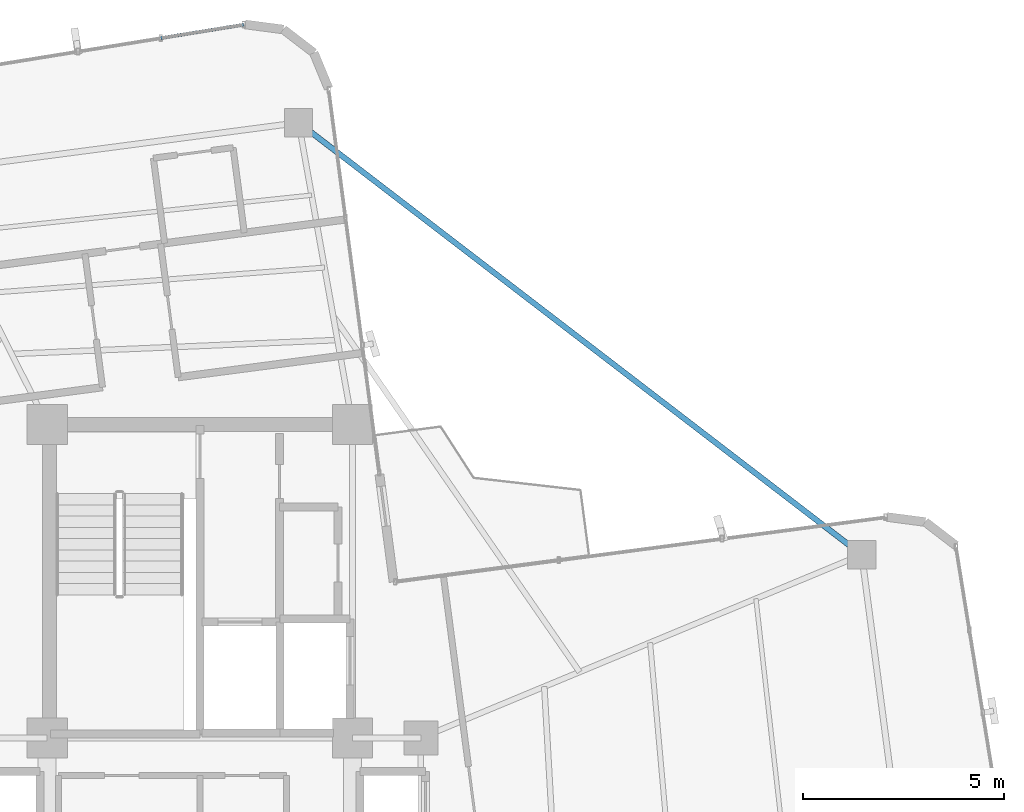
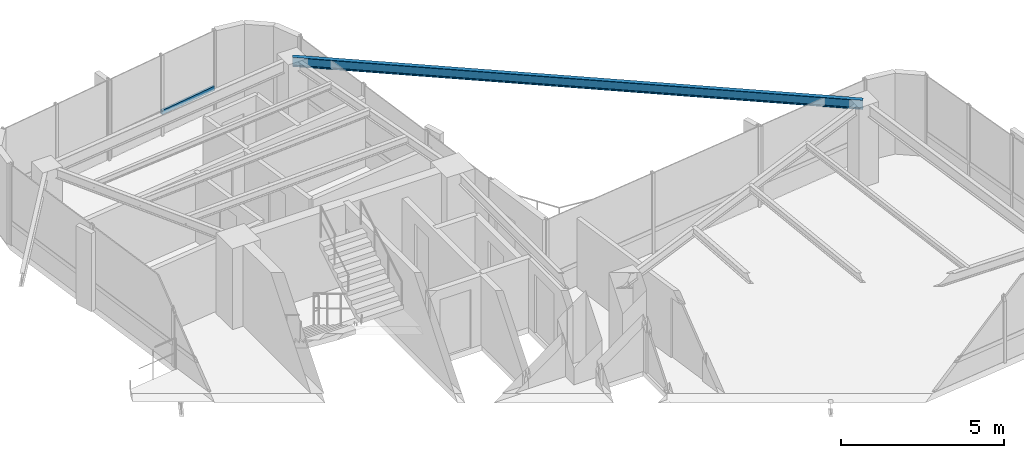
# One storey, part 15 of 22: 1 beam, 1 member, 1 element without a shape of its own.
"""IFC4 building model written with IfcOpenShell, lengths in metres."""

from ifc_helpers import new_model, si_unit, direction, frame, origin, origin_2d, place, context, subcontext, project, spatial, hollow_rectangle, i_section, extrude, source, transform, mapped, material, material_profile, profile_set, type_object, element, aggregate, save


model = new_model("IFC4")

# Units and contexts
model_context = context("Model", 3, precision=1e-05, world=origin(), true_north=direction((0.0, 1.0)))
body_context = subcontext(model_context, "Body", "Model", "MODEL_VIEW")
ifc_project = project(units=[si_unit("LENGTHUNIT", "METRE"), si_unit("AREAUNIT", "SQUARE_METRE"), si_unit("VOLUMEUNIT", "CUBIC_METRE"), si_unit("PLANEANGLEUNIT", "RADIAN"), si_unit("MASSUNIT", "GRAM", prefix="KILO")], contexts=[model_context])

# Site, building, storey
site_placement = place(None, origin())
site = spatial("IfcSite", under=ifc_project, at=site_placement, CompositionType="ELEMENT")
building_placement = place(site_placement, origin())
building = spatial("IfcBuilding", under=site, at=building_placement, Name="Sahyath Konkavel Grand Hotel", CompositionType="ELEMENT")
storey_placement = place(building_placement, frame((0.0, 0.0, 261.25)))
storey = spatial("IfcBuildingStorey", under=building, at=storey_placement, Name="L73", CompositionType="ELEMENT", Elevation=261.25)

# Beam
ifc_material_1 = material(Name="Steel E350", Category="steel")
ifc_material_profile_1 = material_profile(ifc_material_1, i_section(OverallWidth=0.139892578125, OverallDepth=0.35009765625, WebThickness=0.008056640625, FlangeThickness=0.01416015625, FilletRadius=0.013916015625, at=origin_2d()), Name="ISMB 350")
ifc_profile_set_1 = profile_set([ifc_material_profile_1], Name="Steel E350")
beam_type = type_object("IfcBeamType", Name="BM-ISMB350", PredefinedType="BEAM", material=ifc_profile_set_1)
shared_shape_1 = source(origin(), body_context, "Body", "SweptSolid", [
    extrude(i_section(OverallWidth=0.139892578125, OverallDepth=0.35009765625, WebThickness=0.008056640625, FlangeThickness=0.01416015625, FilletRadius=0.013916015625, at=origin_2d()), origin(), (0.0, 0.0, 1.0), 17.663330078125),
])
beam_placement = place(storey_placement, frame((16.472412109375, 6.959716796875, 2.85498046875), z_axis=(-0.793358692504, 0.608754453805, 0.0), x_axis=(-0.608754453805, -0.793358692504, 0.0)))
element("IfcBeam", 1, at=beam_placement, inside=storey, type_object=beam_type, Name="L73 Re-Entrant Tie Beam NE", PredefinedType="BEAM", context=body_context, shape_type="MappedRepresentation", body=[
    mapped(shared_shape_1, transform((0.0, 0.0, 0.0), scale=1.0)),
])

# Curtain wall, member
ifc_material_2 = material(Name="Anodised Bronze Aluminium & Low-E Glazing", Category="aluminium")
curtain_wall_type = type_object("IfcCurtainWallType", Name="CW-ZONE4", PredefinedType="NOTDEFINED", material=ifc_material_2)
curtain_wall_placement = place(storey_placement, origin())
curtain_wall = element("IfcCurtainWall", 2, at=curtain_wall_placement, inside=storey, type_object=curtain_wall_type, Name="L73 Unitised Curtain Wall F12", PredefinedType="NOTDEFINED")
ifc_material_3 = material(Name="Anodised Bronze Aluminium", Category="aluminium")
ifc_material_profile_2 = material_profile(ifc_material_3, hollow_rectangle(XDim=0.080078125, YDim=0.159912109375, WallThickness=0.006103515625, at=origin_2d()), Name="RHS 160x80x6")
ifc_profile_set_2 = profile_set([ifc_material_profile_2], Name="Anodised Bronze Aluminium")
member_type = type_object("IfcMemberType", Name="CW-TRN-160", PredefinedType="USERDEFINED", material=ifc_profile_set_2)
shared_shape_2 = source(origin(), body_context, "Body", "SweptSolid", [
    extrude(hollow_rectangle(XDim=0.080078125, YDim=0.159912109375, WallThickness=0.006103515625, at=origin_2d()), origin(), (0.0, 0.0, 1.0), 2.08740234375),
])
member_placement = place(storey_placement, frame((1.0888671875, 20.1533203125, 0.85009765625), z_axis=(-0.98719124923, -0.159541334591, 0.0), x_axis=(0.159541334591, -0.98719124923, 0.0)))
member = element("IfcMember", 3, at=member_placement, type_object=member_type, Name="L73 Curtain Wall Transom F12-0-spandrel", ObjectType="TRANSOM", PredefinedType="USERDEFINED", context=body_context, shape_type="MappedRepresentation", body=[
    mapped(shared_shape_2, transform((0.0, 0.0, 0.0), scale=1.0)),
])
aggregate(curtain_wall, [member])

save(model, "model.ifc")
